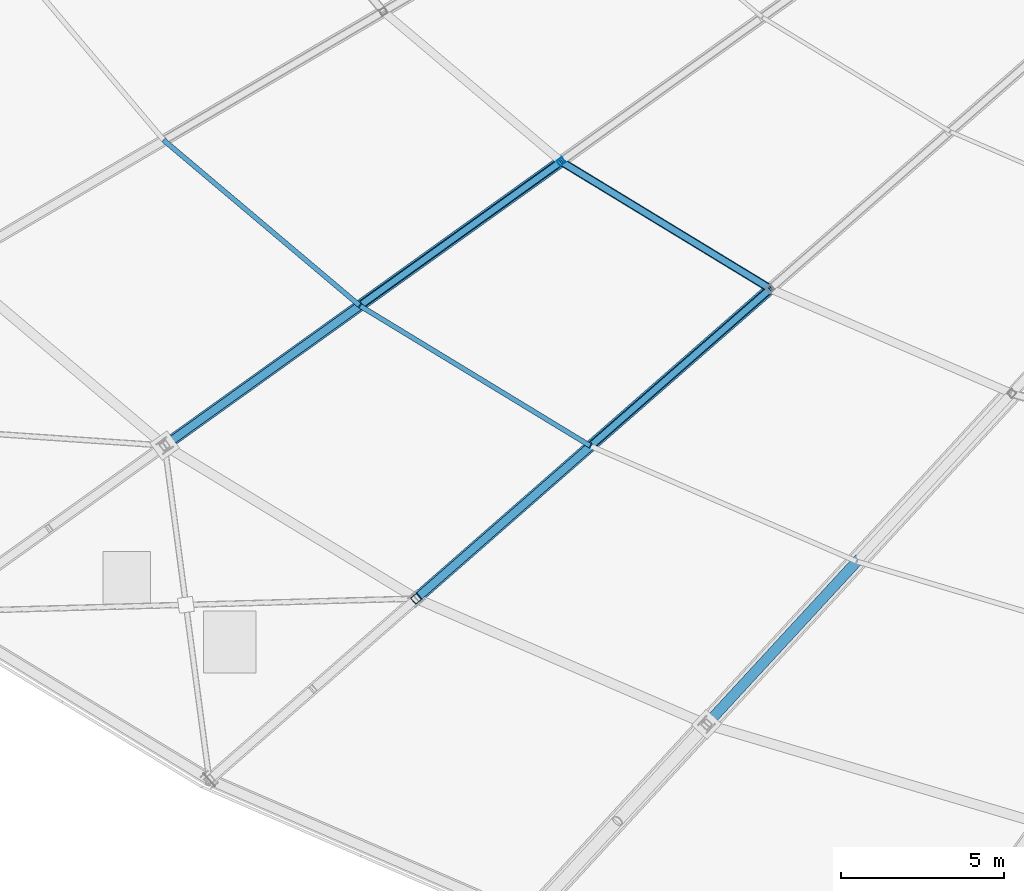
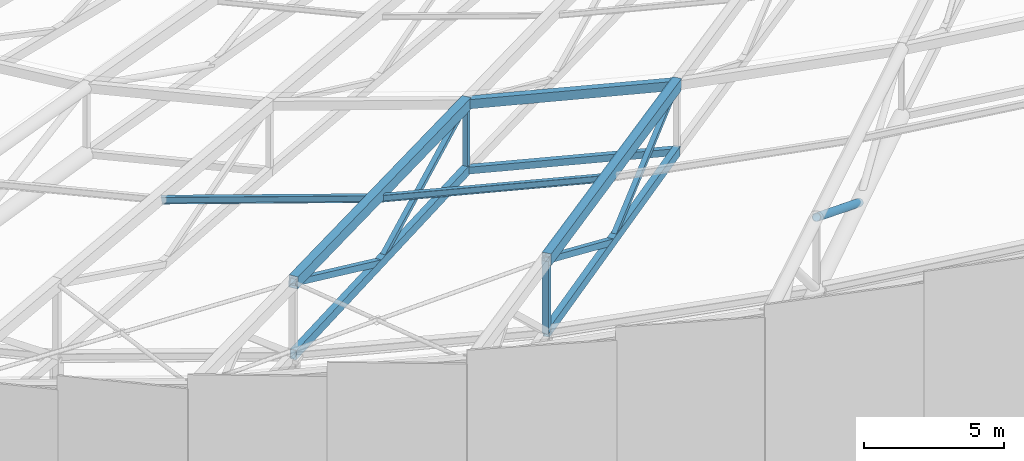
# One storey, part 19 of 143: 10 members, 5 beams.
"""IFC4 building model written with IfcOpenShell, lengths in metres."""

from ifc_helpers import new_model, si_unit, direction, frame, origin, origin_2d, place, context, subcontext, project, spatial, hollow_rectangle, hollow_circle, i_section, extrude, material, material_profile, profile_set, type_object, element, save


model = new_model("IFC4")

# Units and contexts
model_context = context("Model", 3, precision=1e-05, world=origin(), true_north=direction((0.0, 1.0)))
body_context = subcontext(model_context, "Body", "Model", "MODEL_VIEW")
ifc_project = project(units=[si_unit("LENGTHUNIT", "METRE"), si_unit("AREAUNIT", "SQUARE_METRE"), si_unit("VOLUMEUNIT", "CUBIC_METRE"), si_unit("PLANEANGLEUNIT", "RADIAN"), si_unit("MASSUNIT", "GRAM", prefix="KILO")], contexts=[model_context])

# Site, building, storey
site_placement = place(None, origin())
site = spatial("IfcSite", under=ifc_project, at=site_placement, CompositionType="ELEMENT")
building_placement = place(site_placement, origin())
building = spatial("IfcBuilding", under=site, at=building_placement, Name="Mphavela Belvedere Stadium", CompositionType="ELEMENT")
storey_placement = place(building_placement, frame((0.0, 0.0, 28.800048828125)))
storey = spatial("IfcBuildingStorey", under=building, at=storey_placement, Name="RF", CompositionType="ELEMENT", Elevation=28.800048828125)

# Beams
ifc_material_1 = material(Name="Steel S355", Category="steel")
ifc_material_profile_1 = material_profile(ifc_material_1, hollow_rectangle(XDim=0.25, YDim=0.39990234375, WallThickness=0.01611328125, at=origin_2d()), Name="RHS 400x250x16")
ifc_profile_set_1 = profile_set([ifc_material_profile_1], Name="Steel S355")
beam_type_1 = type_object("IfcBeamType", Name="BM-RING-MID", PredefinedType="BEAM", material=ifc_profile_set_1)
beam_1_placement = place(storey_placement, frame((55.0732421875, 44.062744140625, 6.124267578125), z_axis=(0.847674342675, -0.515707335878, 0.124475509606), x_axis=(0.519749594585, 0.854318651868, 0.0)))
element("IfcBeam", 1, at=beam_1_placement, inside=storey, type_object=beam_type_1, Name="Intermediate roof ring beam RB-MID-31", PredefinedType="BEAM", context=body_context, shape_type="SweptSolid", body=[
    extrude(hollow_rectangle(XDim=0.25, YDim=0.39990234375, WallThickness=0.01611328125, at=origin_2d()), origin(), (0.0, 0.0, 1.0), 7.55517578125),
])
ifc_material_2 = material(Name="Steel S355", Category="steel")
ifc_material_profile_2 = material_profile(ifc_material_2, hollow_rectangle(XDim=0.25, YDim=0.39990234375, WallThickness=0.01611328125, at=origin_2d()), Name="RHS 400x250x16")
ifc_profile_set_2 = profile_set([ifc_material_profile_2], Name="Steel S355")
beam_type_2 = type_object("IfcBeamType", Name="BM-TRUSS-BC2", PredefinedType="BEAM", material=ifc_profile_set_2)
beam_2_placement = place(storey_placement, frame((42.938720703125, 35.368408203125, 4.701171875), z_axis=(0.808932564124, 0.579596935267, -0.098465726675), x_axis=(-0.582427273986, 0.812882814751, 0.0)))
element("IfcBeam", 2, at=beam_2_placement, inside=storey, type_object=beam_type_2, Name="Radial roof truss RT-31 bottom chord 2", PredefinedType="BEAM", context=body_context, shape_type="SweptSolid", body=[
    extrude(hollow_rectangle(XDim=0.25, YDim=0.39990234375, WallThickness=0.01611328125, at=origin_2d()), origin(), (0.0, 0.0, 1.0), 15.000732421875),
])
beam_3_placement = place(storey_placement, frame((50.639892578125, 30.68310546875, 5.832275390625), z_axis=(0.747566278438, 0.654152069556, -0.115020560063), x_axis=(-0.658522610874, 0.752560941697, 0.0)))
element("IfcBeam", 3, at=beam_3_placement, inside=storey, type_object=beam_type_2, Name="Radial roof truss RT-32 bottom chord 2", PredefinedType="BEAM", context=body_context, shape_type="SweptSolid", body=[
    extrude(hollow_rectangle(XDim=0.25, YDim=0.39990234375, WallThickness=0.01611328125, at=origin_2d()), origin(), (0.0, 0.0, 1.0), 14.497314453125),
])
ifc_material_3 = material(Name="Steel S355", Category="steel")
ifc_material_profile_3 = material_profile(ifc_material_3, hollow_rectangle(XDim=0.35009765625, YDim=0.5, WallThickness=0.02001953125, at=origin_2d()), Name="RHS 500x350x20")
ifc_profile_set_3 = profile_set([ifc_material_profile_3], Name="Steel S355")
beam_type_3 = type_object("IfcBeamType", Name="BM-TRUSS-TC2", PredefinedType="BEAM", material=ifc_profile_set_3)
beam_4_placement = place(storey_placement, frame((42.938720703125, 35.368408203125, 7.851318359375), z_axis=(0.807496577749, 0.578568056793, -0.114927283886), x_axis=(-0.582427273986, 0.812882814751, 0.0)))
element("IfcBeam", 4, at=beam_4_placement, inside=storey, type_object=beam_type_3, Name="Radial roof truss RT-31 top chord 2", PredefinedType="BEAM", context=body_context, shape_type="SweptSolid", body=[
    extrude(hollow_rectangle(XDim=0.35009765625, YDim=0.5, WallThickness=0.02001953125, at=origin_2d()), origin(), (0.0, 0.0, 1.0), 15.02734375),
])
beam_5_placement = place(storey_placement, frame((50.639892578125, 30.68310546875, 8.982177734375), z_axis=(0.745977412319, 0.65276174459, -0.131984109309), x_axis=(-0.658522610874, 0.752560941697, 0.0)))
element("IfcBeam", 5, at=beam_5_placement, inside=storey, type_object=beam_type_3, Name="Radial roof truss RT-32 top chord 2", PredefinedType="BEAM", context=body_context, shape_type="SweptSolid", body=[
    extrude(hollow_rectangle(XDim=0.35009765625, YDim=0.5, WallThickness=0.02001953125, at=origin_2d()), origin(), (0.0, 0.0, 1.0), 14.528076171875),
])

# Members
ifc_material_4 = material(Name="Steel S355", Category="steel")
ifc_material_profile_4 = material_profile(ifc_material_4, hollow_circle(Radius=0.161865234375, WallThickness=0.01611328125, at=origin_2d()), Name="CHS 323.9x16")
ifc_profile_set_4 = profile_set([ifc_material_profile_4], Name="Steel S355")
member_type_1 = type_object("IfcMemberType", Name="MEM-DIAG-324", PredefinedType="BRACE", material=ifc_profile_set_4)
member_1_placement = place(storey_placement, frame((59.523681640625, 26.83203125, 10.0361328125), z_axis=(0.583560787104, 0.632912729061, -0.508800830529), x_axis=(-0.735189102669, 0.677862068061, 0.0)))
element("IfcMember", 6, at=member_1_placement, inside=storey, type_object=member_type_1, Name="Radial roof truss RT-33 web diagonal D3", PredefinedType="BRACE", context=body_context, shape_type="SweptSolid", body=[
    extrude(hollow_circle(Radius=0.161865234375, WallThickness=0.01611328125, at=origin_2d()), origin(), (0.0, 0.0, 1.0), 8.004150390625),
])
ifc_material_5 = material(Name="Steel S355", Category="steel")
ifc_material_profile_5 = material_profile(ifc_material_5, hollow_rectangle(XDim=0.199951171875, YDim=0.199951171875, WallThickness=0.010009765625, at=origin_2d()), Name="SHS 200x200x10")
ifc_profile_set_5 = profile_set([ifc_material_profile_5], Name="Steel S355")
member_type_2 = type_object("IfcMemberType", Name="MEM-POST-SHS200", PredefinedType="POST", material=ifc_profile_set_5)
member_2_placement = place(storey_placement, frame((55.0732421875, 44.062744140625, 3.22412109375), z_axis=(0.0, 0.0, 1.0), x_axis=(-0.812897512265, -0.582406760395, 0.0)))
element("IfcMember", 7, at=member_2_placement, inside=storey, type_object=member_type_2, Name="Radial roof truss RT-31 post P3", PredefinedType="POST", context=body_context, shape_type="SweptSolid", body=[
    extrude(hollow_rectangle(XDim=0.199951171875, YDim=0.199951171875, WallThickness=0.010009765625, at=origin_2d()), origin(), (0.0, 0.0, 1.0), 2.900146484375),
])
member_3_placement = place(storey_placement, frame((49.005859375, 39.715576171875, 3.962646484375), z_axis=(0.78080370017, 0.559431461662, 0.278176241804), x_axis=(-0.58241953096, 0.812888362542, 0.0)))
element("IfcMember", 8, at=member_3_placement, inside=storey, type_object=member_type_2, Name="Radial roof truss RT-31 web diagonal D4", PredefinedType="POST", context=body_context, shape_type="SweptSolid", body=[
    extrude(hollow_rectangle(XDim=0.199951171875, YDim=0.199951171875, WallThickness=0.010009765625, at=origin_2d()), origin(), (0.0, 0.0, 1.0), 7.770751953125),
])
member_4_placement = place(storey_placement, frame((56.05859375, 35.4248046875, 4.99853515625), z_axis=(0.723377197718, 0.632971343219, 0.275812814214), x_axis=(-0.658514209396, 0.752568293263, 0.0)))
element("IfcMember", 9, at=member_4_placement, inside=storey, type_object=member_type_2, Name="Radial roof truss RT-32 web diagonal D4", PredefinedType="POST", context=body_context, shape_type="SweptSolid", body=[
    extrude(hollow_rectangle(XDim=0.199951171875, YDim=0.199951171875, WallThickness=0.010009765625, at=origin_2d()), origin(), (0.0, 0.0, 1.0), 7.4912109375),
])
ifc_material_6 = material(Name="Steel S355", Category="steel")
ifc_material_profile_6 = material_profile(ifc_material_6, hollow_rectangle(XDim=0.25, YDim=0.25, WallThickness=0.012451171875, at=origin_2d()), Name="SHS 250x250x12.5")
ifc_profile_set_6 = profile_set([ifc_material_profile_6], Name="Steel S355")
member_type_3 = type_object("IfcMemberType", Name="MEM-POST-SHS250", PredefinedType="POST", material=ifc_profile_set_6)
member_5_placement = place(storey_placement, frame((42.938720703125, 35.368408203125, 7.851318359375), z_axis=(0.720901423513, 0.516533368761, -0.462054560127), x_axis=(-0.582435017164, 0.812877266739, 0.0)))
element("IfcMember", 10, at=member_5_placement, inside=storey, type_object=member_type_3, Name="Radial roof truss RT-31 web diagonal D3", PredefinedType="POST", context=body_context, shape_type="SweptSolid", body=[
    extrude(hollow_rectangle(XDim=0.25, YDim=0.25, WallThickness=0.012451171875, at=origin_2d()), origin(), (0.0, 0.0, 1.0), 8.416015625),
])
member_6_placement = place(storey_placement, frame((50.639892578125, 30.68310546875, 5.832275390625), z_axis=(0.0, 0.0, 1.0), x_axis=(-0.752529860433, -0.658558128912, 0.0)))
element("IfcMember", 11, at=member_6_placement, inside=storey, type_object=member_type_3, Name="Radial roof truss RT-32 post P2", PredefinedType="POST", context=body_context, shape_type="SweptSolid", body=[
    extrude(hollow_rectangle(XDim=0.25, YDim=0.25, WallThickness=0.012451171875, at=origin_2d()), origin(), (0.0, 0.0, 1.0), 3.14990234375),
])
member_7_placement = place(storey_placement, frame((50.639892578125, 30.68310546875, 8.982177734375), z_axis=(0.658493272583, 0.576222407754, -0.484101587237), x_axis=(-0.658531012484, 0.752553589851, 0.0)))
element("IfcMember", 12, at=member_7_placement, inside=storey, type_object=member_type_3, Name="Radial roof truss RT-32 web diagonal D3", PredefinedType="POST", context=body_context, shape_type="SweptSolid", body=[
    extrude(hollow_rectangle(XDim=0.25, YDim=0.25, WallThickness=0.012451171875, at=origin_2d()), origin(), (0.0, 0.0, 1.0), 8.22900390625),
])
ifc_material_7 = material(Name="Steel S355", Category="steel")
ifc_material_profile_7 = material_profile(ifc_material_7, i_section(OverallWidth=0.14990234375, OverallDepth=0.300048828125, WebThickness=0.007080078125, FlangeThickness=0.0107421875, at=origin_2d()), Name="IPE 300")
ifc_profile_set_7 = profile_set([ifc_material_profile_7], Name="Steel S355")
member_type_4 = type_object("IfcMemberType", Name="MEM-PURLIN-IPE300", PredefinedType="PURLIN", material=ifc_profile_set_7)
member_8_placement = place(storey_placement, frame((42.915771484375, 44.708984375, 5.773681640625), z_axis=(0.757668666465, -0.639343665261, 0.131064371771), x_axis=(0.64490672087, 0.764261291298, 0.0)))
element("IfcMember", 13, at=member_8_placement, inside=storey, type_object=member_type_4, Name="Saddle canopy steel purlin 30-2", PredefinedType="PURLIN", context=body_context, shape_type="SweptSolid", body=[
    extrude(i_section(OverallWidth=0.14990234375, OverallDepth=0.300048828125, WebThickness=0.007080078125, FlangeThickness=0.0107421875, at=origin_2d()), origin(), (0.0, 0.0, 1.0), 7.914794921875),
])
member_9_placement = place(storey_placement, frame((48.91259765625, 39.648681640625, 6.81103515625), z_axis=(0.847684683893, -0.515690233048, 0.124475942382), x_axis=(0.519732386137, 0.85432912089, 0.0)))
element("IfcMember", 14, at=member_9_placement, inside=storey, type_object=member_type_4, Name="Saddle canopy steel purlin 31-2", PredefinedType="PURLIN", context=body_context, shape_type="SweptSolid", body=[
    extrude(i_section(OverallWidth=0.14990234375, OverallDepth=0.300048828125, WebThickness=0.007080078125, FlangeThickness=0.0107421875, at=origin_2d()), origin(), (0.0, 0.0, 1.0), 8.331787109375),
])
ifc_material_8 = material(Name="Steel S355", Category="steel")
ifc_material_profile_8 = material_profile(ifc_material_8, hollow_rectangle(XDim=0.199951171875, YDim=0.300048828125, WallThickness=0.011962890625, at=origin_2d()), Name="RHS 300x200x12")
ifc_profile_set_8 = profile_set([ifc_material_profile_8], Name="Steel S355")
member_type_5 = type_object("IfcMemberType", Name="MEM-SEC-CHORD", PredefinedType="CHORD", material=ifc_profile_set_8)
member_10_placement = place(storey_placement, frame((55.0732421875, 44.062744140625, 3.22412109375), z_axis=(0.847670932597, -0.515705261258, 0.124507323242), x_axis=(0.519749594585, 0.854318651868, 0.0)))
element("IfcMember", 15, at=member_10_placement, inside=storey, type_object=member_type_5, Name="Secondary bottom roof tie chord 31", PredefinedType="CHORD", context=body_context, shape_type="SweptSolid", body=[
    extrude(hollow_rectangle(XDim=0.199951171875, YDim=0.300048828125, WallThickness=0.011962890625, at=origin_2d()), origin(), (0.0, 0.0, 1.0), 7.55517578125),
])

save(model, "model.ifc")
